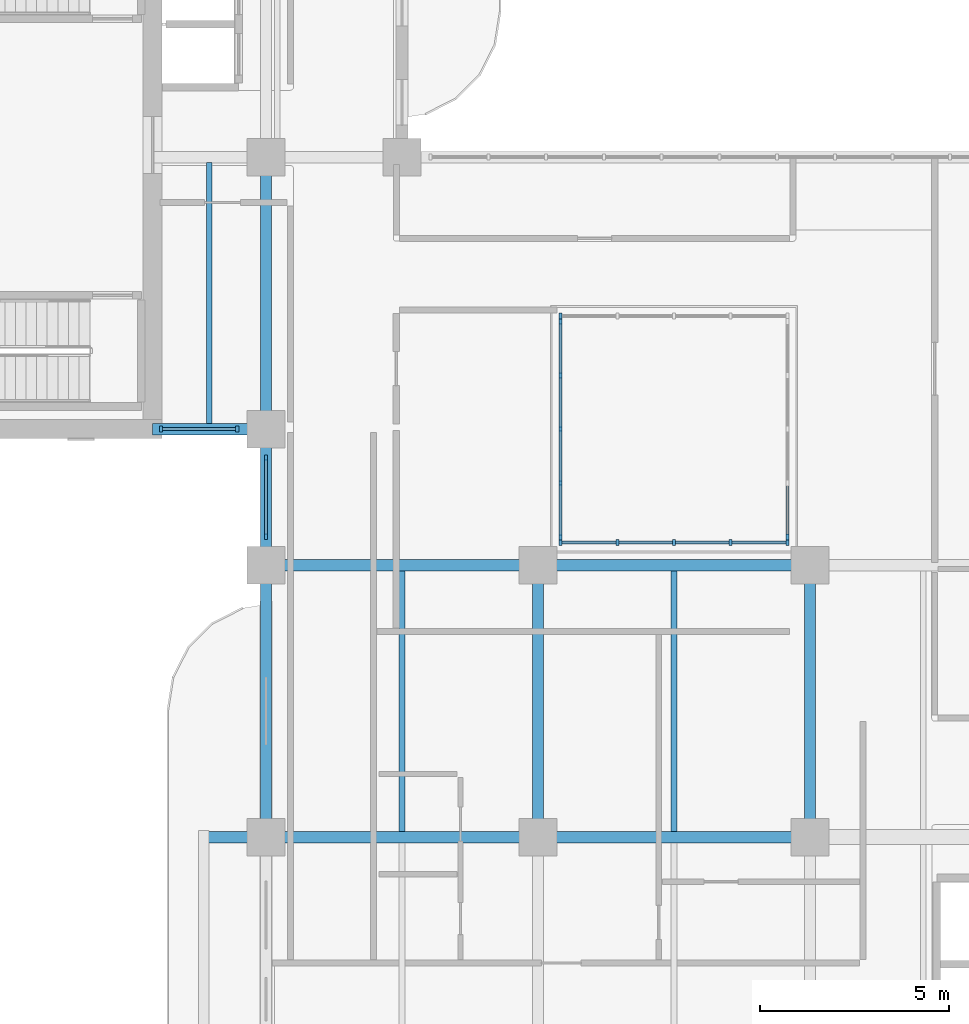
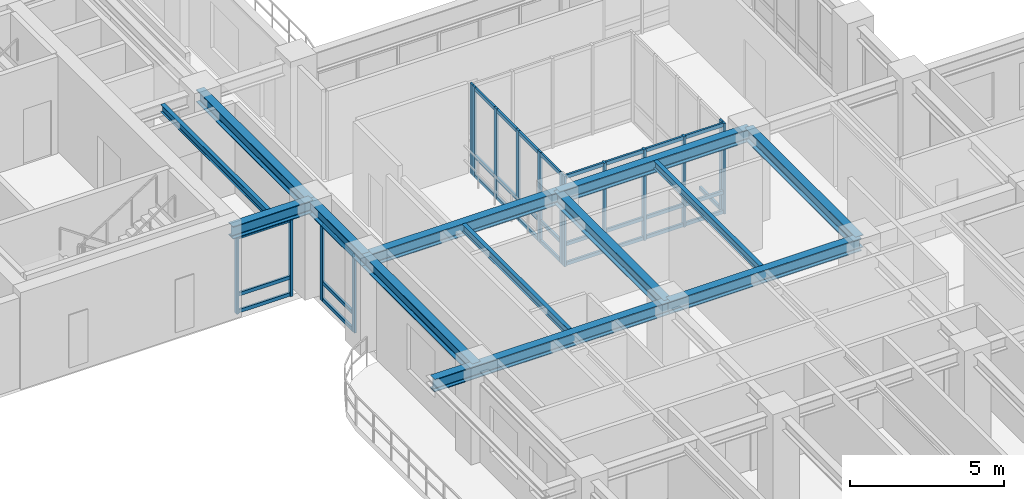
# One storey, part 2 of 20: 47 members, 13 beams, 6 elements without a shape of their own.
"""IFC4 building model written with IfcOpenShell, lengths in metres."""

from ifc_helpers import new_model, si_unit, derived_unit, direction, frame, origin, origin_2d, place, context, subcontext, project, spatial, rectangle, i_section, extrude, source, transform, mapped, material, layer, layer_set, material_profile, profile_set, type_object, type_shapes, element, aggregate, save


model = new_model("IFC4")

# Units and contexts
model_context = context("Model", 3, precision=1e-05, world=origin(), true_north=direction((0.0, 1.0)))
body_context = subcontext(model_context, "Body", "Model", "MODEL_VIEW")
ifc_project = project(units=[si_unit("LENGTHUNIT", "METRE"), si_unit("AREAUNIT", "SQUARE_METRE"), si_unit("VOLUMEUNIT", "CUBIC_METRE"), si_unit("PLANEANGLEUNIT", "RADIAN"), si_unit("MASSUNIT", "GRAM", prefix="KILO"), si_unit("THERMODYNAMICTEMPERATUREUNIT", "KELVIN"), si_unit("POWERUNIT", "WATT"), derived_unit("THERMALTRANSMITTANCEUNIT", [(si_unit("POWERUNIT", "WATT"), 1), (si_unit("AREAUNIT", "SQUARE_METRE"), -1), (si_unit("THERMODYNAMICTEMPERATUREUNIT", "KELVIN"), -1)])], contexts=[model_context])

# Site, building, storey
site_placement = place(None, origin())
site = spatial("IfcSite", under=ifc_project, at=site_placement, CompositionType="ELEMENT")
building_placement = place(site_placement, origin())
building = spatial("IfcBuilding", under=site, at=building_placement, Name="Zahravan Archway Hotel and Residences", CompositionType="ELEMENT")
storey_placement = place(building_placement, frame((0.0, 0.0, 161.85009765625)))
storey = spatial("IfcBuildingStorey", under=building, at=storey_placement, Name="L40", CompositionType="ELEMENT", Elevation=161.85009765625)

# Beams
ifc_material_1 = material(Name="Structural Steel S355JR", Category="steel")
ifc_material_profile_1 = material_profile(ifc_material_1, i_section(OverallWidth=0.300048828125, OverallDepth=0.5, WebThickness=0.014404296875, FlangeThickness=0.028076171875, FilletRadius=0.027099609375, at=origin_2d()), Name="HEB 500", Category="steel")
ifc_profile_set_1 = profile_set([ifc_material_profile_1], Name="Structural Steel S355JR")
beam_type_1 = type_object("IfcBeamType", Name="BM-PRI-HEB500", PredefinedType="BEAM", material=ifc_profile_set_1)
shared_shape_1 = source(origin(), body_context, "Body", "SweptSolid", [
    extrude(i_section(OverallWidth=0.300048828125, OverallDepth=0.5, WebThickness=0.014404296875, FlangeThickness=0.028076171875, FilletRadius=0.027099609375, at=origin_2d()), origin(), (0.0, 0.0, 1.0), 7.2001953125),
])
type_shapes(beam_type_1, [shared_shape_1])
for number, where, z_axis, x_axis, name in (
    (1, (14.39990234375, 21.60009765625, 3.349853515625), (1.0, 0.0, 0.0), (0.0, 1.0, 0.0), "L40 Primary Girder EW-11"),
    (2, (14.39990234375, 14.39990234375, 3.349853515625), (0.0, 1.0, 0.0), (-1.0, 0.0, 0.0), "L40 Primary Girder NS-30"),
    (3, (21.60009765625, 14.39990234375, 3.349853515625), (0.0, 1.0, 0.0), (-1.0, 0.0, 0.0), "L40 Primary Girder NS-37"),
    (4, (28.800048828125, 14.39990234375, 3.349853515625), (0.0, 1.0, 0.0), (-1.0, 0.0, 0.0), "L40 Primary Girder NS-40"),
):
    element("IfcBeam", number, at=place(storey_placement, frame(where, z_axis=z_axis, x_axis=x_axis)), inside=storey, type_object=beam_type_1, Name=name, PredefinedType="BEAM", context=body_context, shape_type="MappedRepresentation", body=[
        mapped(shared_shape_1, transform((0.0, 0.0, 0.0), scale=1.0)),
    ])
shared_shape_2 = source(origin(), body_context, "Body", "SweptSolid", [
    extrude(i_section(OverallWidth=0.300048828125, OverallDepth=0.5, WebThickness=0.014404296875, FlangeThickness=0.028076171875, FilletRadius=0.027099609375, at=origin_2d()), origin(), (0.0, 0.0, 1.0), 7.199951171875),
])
for number, where, z_axis, x_axis, name in (
    (5, (21.60009765625, 14.39990234375, 3.349853515625), (1.0, 0.0, 0.0), (0.0, 1.0, 0.0), "L40 Primary Girder EW-10"),
    (6, (21.60009765625, 21.60009765625, 3.349853515625), (1.0, 0.0, 0.0), (0.0, 1.0, 0.0), "L40 Primary Girder EW-12"),
    (7, (14.39990234375, 25.199951171875, 3.349853515625), (0.0, 1.0, 0.0), (-1.0, 0.0, 0.0), "L40 Primary Girder NS-32"),
):
    element("IfcBeam", number, at=place(storey_placement, frame(where, z_axis=z_axis, x_axis=x_axis)), inside=storey, type_object=beam_type_1, Name=name, PredefinedType="BEAM", context=body_context, shape_type="MappedRepresentation", body=[
        mapped(shared_shape_2, transform((0.0, 0.0, 0.0), scale=1.0)),
    ])
shared_shape_3 = source(origin(), body_context, "Body", "SweptSolid", [
    extrude(i_section(OverallWidth=0.300048828125, OverallDepth=0.5, WebThickness=0.014404296875, FlangeThickness=0.028076171875, FilletRadius=0.027099609375, at=origin_2d()), origin(), (0.0, 0.0, 1.0), 3.0),
])
beam_1_placement = place(storey_placement, frame((11.39990234375, 25.199951171875, 3.349853515625), z_axis=(1.0, 0.0, 0.0), x_axis=(0.0, 1.0, 0.0)))
element("IfcBeam", 8, at=beam_1_placement, inside=storey, type_object=beam_type_1, Name="L40 Primary Girder EW-16", PredefinedType="BEAM", context=body_context, shape_type="MappedRepresentation", body=[
    mapped(shared_shape_3, transform((0.0, 0.0, 0.0), scale=1.0)),
])
shared_shape_4 = source(origin(), body_context, "Body", "SweptSolid", [
    extrude(i_section(OverallWidth=0.300048828125, OverallDepth=0.5, WebThickness=0.014404296875, FlangeThickness=0.028076171875, FilletRadius=0.027099609375, at=origin_2d()), origin(), (0.0, 0.0, 1.0), 3.599853515625),
])
beam_2_placement = place(storey_placement, frame((14.39990234375, 21.60009765625, 3.349853515625), z_axis=(0.0, 1.0, 0.0), x_axis=(-1.0, 0.0, 0.0)))
element("IfcBeam", 9, at=beam_2_placement, inside=storey, type_object=beam_type_1, Name="L40 Primary Girder NS-31", PredefinedType="BEAM", context=body_context, shape_type="MappedRepresentation", body=[
    mapped(shared_shape_4, transform((0.0, 0.0, 0.0), scale=1.0)),
])
shared_shape_5 = source(origin(), body_context, "Body", "SweptSolid", [
    extrude(i_section(OverallWidth=0.300048828125, OverallDepth=0.5, WebThickness=0.014404296875, FlangeThickness=0.028076171875, FilletRadius=0.027099609375, at=origin_2d()), origin(), (0.0, 0.0, 1.0), 8.85009765625),
])
beam_3_placement = place(storey_placement, frame((12.75, 14.39990234375, 3.349853515625), z_axis=(1.0, 0.0, 0.0), x_axis=(0.0, 1.0, 0.0)))
element("IfcBeam", 10, at=beam_3_placement, inside=storey, type_object=beam_type_1, Name="L40 Primary Girder EW-09", PredefinedType="BEAM", context=body_context, shape_type="MappedRepresentation", body=[
    mapped(shared_shape_5, transform((0.0, 0.0, 0.0), scale=1.0)),
])
ifc_material_profile_2 = material_profile(ifc_material_1, i_section(OverallWidth=0.14990234375, OverallDepth=0.300048828125, WebThickness=0.007080078125, FlangeThickness=0.0107421875, FilletRadius=0.014892578125, at=origin_2d()), Name="IPE 300", Category="steel")
ifc_profile_set_2 = profile_set([ifc_material_profile_2], Name="Structural Steel S355JR")
beam_type_2 = type_object("IfcBeamType", Name="BM-JST-IPE300", PredefinedType="JOIST", material=ifc_profile_set_2)
shared_shape_6 = source(origin(), body_context, "Body", "SweptSolid", [
    extrude(i_section(OverallWidth=0.14990234375, OverallDepth=0.300048828125, WebThickness=0.007080078125, FlangeThickness=0.0107421875, FilletRadius=0.014892578125, at=origin_2d()), origin(), (0.0, 0.0, 1.0), 6.904052734375),
])
type_shapes(beam_type_2, [shared_shape_6])
beam_4_placement = place(storey_placement, frame((12.89990234375, 25.347900390625, 3.449951171875), z_axis=(0.0, 1.0, 0.0), x_axis=(-1.0, 0.0, 0.0)))
element("IfcBeam", 11, at=beam_4_placement, inside=storey, type_object=beam_type_2, Name="L40 Composite Floor Joist 10", PredefinedType="JOIST", context=body_context, shape_type="MappedRepresentation", body=[
    mapped(shared_shape_6, transform((0.0, 0.0, 0.0), scale=1.0)),
])
shared_shape_7 = source(origin(), body_context, "Body", "SweptSolid", [
    extrude(i_section(OverallWidth=0.14990234375, OverallDepth=0.300048828125, WebThickness=0.007080078125, FlangeThickness=0.0107421875, FilletRadius=0.014892578125, at=origin_2d()), origin(), (0.0, 0.0, 1.0), 6.90380859375),
])
for number, where, z_axis, x_axis, name in (
    (12, (18.0, 14.548095703125, 3.449951171875), (0.0, 1.0, 0.0), (-1.0, 0.0, 0.0), "L40 Composite Floor Joist 08"),
    (13, (25.199951171875, 14.548095703125, 3.449951171875), (0.0, 1.0, 0.0), (-1.0, 0.0, 0.0), "L40 Composite Floor Joist 09"),
):
    element("IfcBeam", number, at=place(storey_placement, frame(where, z_axis=z_axis, x_axis=x_axis)), inside=storey, type_object=beam_type_2, Name=name, PredefinedType="JOIST", context=body_context, shape_type="MappedRepresentation", body=[
        mapped(shared_shape_7, transform((0.0, 0.0, 0.0), scale=1.0)),
    ])

# Curtain wall, members
ifc_material_2 = material(Name="Bronze-Anodized Unitised Aluminium & Low-E Glass", Category="aluminium")
ifc_layer_1 = layer(ifc_material_2, 0.179931640625, Name="Bronze-Anodized Unitised Aluminium & Low-E Glass", Category="aluminium")
ifc_layer_set_1 = layer_set([ifc_layer_1], Name="Bronze-Anodized Unitised Aluminium & Low-E Glass")
curtain_wall_type_1 = type_object("IfcCurtainWallType", Name="CW-TWR-FEAT", PredefinedType="NOTDEFINED", material=ifc_layer_set_1)
curtain_wall_1_placement = place(storey_placement, origin())
curtain_wall_1 = element("IfcCurtainWall", 14, at=curtain_wall_1_placement, inside=storey, type_object=curtain_wall_type_1, Name="L40 Curtain Wall CW-L40-WB-SE-1", PredefinedType="NOTDEFINED")
ifc_material_3 = material(Name="Bronze-Anodized Extruded Aluminium", Category="aluminium")
ifc_material_profile_3 = material_profile(ifc_material_3, rectangle(XDim=0.080078125, YDim=0.139892578125, at=origin_2d()), Name="TRN 80x140", Category="aluminium")
ifc_profile_set_3 = profile_set([ifc_material_profile_3], Name="Bronze-Anodized Extruded Aluminium")
member_type_1 = type_object("IfcMemberType", Name="CWM-TRN-140", PredefinedType="USERDEFINED", material=ifc_profile_set_3)
shared_shape_8 = source(origin(), body_context, "Body", "SweptSolid", [
    extrude(rectangle(XDim=0.080078125, YDim=0.139892578125, at=origin_2d()), origin(), (0.0, 0.0, 1.0), 1.940185546875),
])
member_1_placement = place(storey_placement, frame((11.659912109375, 25.199951171875, 0.06982421875), z_axis=(1.0, 0.0, 0.0), x_axis=(0.0, 1.0, 0.0)))
member_1 = element("IfcMember", 15, at=member_1_placement, type_object=member_type_1, Name="CW-L40-WB-SE-1 Transom 0-1", ObjectType="TRANSOM", PredefinedType="USERDEFINED", context=body_context, shape_type="MappedRepresentation", body=[
    mapped(shared_shape_8, transform((0.0, 0.0, 0.0), scale=1.0)),
])
member_2_placement = place(storey_placement, frame((11.659912109375, 25.199951171875, 0.740234375), z_axis=(1.0, 0.0, 0.0), x_axis=(0.0, 1.0, 0.0)))
member_2 = element("IfcMember", 16, at=member_2_placement, type_object=member_type_1, Name="CW-L40-WB-SE-1 Transom 0-2", ObjectType="TRANSOM", PredefinedType="USERDEFINED", context=body_context, shape_type="MappedRepresentation", body=[
    mapped(shared_shape_8, transform((0.0, 0.0, 0.0), scale=1.0)),
])
member_3_placement = place(storey_placement, frame((11.659912109375, 25.199951171875, 3.014892578125), z_axis=(1.0, 0.0, 0.0), x_axis=(0.0, 1.0, 0.0)))
member_3 = element("IfcMember", 17, at=member_3_placement, type_object=member_type_1, Name="CW-L40-WB-SE-1 Transom 0-3", ObjectType="TRANSOM", PredefinedType="USERDEFINED", context=body_context, shape_type="MappedRepresentation", body=[
    mapped(shared_shape_8, transform((0.0, 0.0, 0.0), scale=1.0)),
])

curtain_wall_2_placement = place(storey_placement, origin())
curtain_wall_2 = element("IfcCurtainWall", 18, at=curtain_wall_2_placement, inside=storey, type_object=curtain_wall_type_1, Name="L40 Curtain Wall CW-L40-WA-WLU-1", PredefinedType="NOTDEFINED")
shared_shape_9 = source(origin(), body_context, "Body", "SweptSolid", [
    extrude(rectangle(XDim=0.080078125, YDim=0.139892578125, at=origin_2d()), origin(), (0.0, 0.0, 1.0), 2.0),
])
member_4_placement = place(storey_placement, frame((14.39990234375, 22.39990234375, 0.06982421875), z_axis=(0.0, 1.0, 0.0), x_axis=(-1.0, 0.0, 0.0)))
member_4 = element("IfcMember", 19, at=member_4_placement, type_object=member_type_1, Name="CW-L40-WA-WLU-1 Transom 0-1", ObjectType="TRANSOM", PredefinedType="USERDEFINED", context=body_context, shape_type="MappedRepresentation", body=[
    mapped(shared_shape_9, transform((0.0, 0.0, 0.0), scale=1.0)),
])
member_5_placement = place(storey_placement, frame((14.39990234375, 22.39990234375, 0.740234375), z_axis=(0.0, 1.0, 0.0), x_axis=(-1.0, 0.0, 0.0)))
member_5 = element("IfcMember", 20, at=member_5_placement, type_object=member_type_1, Name="CW-L40-WA-WLU-1 Transom 0-2", ObjectType="TRANSOM", PredefinedType="USERDEFINED", context=body_context, shape_type="MappedRepresentation", body=[
    mapped(shared_shape_9, transform((0.0, 0.0, 0.0), scale=1.0)),
])
member_6_placement = place(storey_placement, frame((14.39990234375, 22.39990234375, 3.014892578125), z_axis=(0.0, 1.0, 0.0), x_axis=(-1.0, 0.0, 0.0)))
member_6 = element("IfcMember", 21, at=member_6_placement, type_object=member_type_1, Name="CW-L40-WA-WLU-1 Transom 0-3", ObjectType="TRANSOM", PredefinedType="USERDEFINED", context=body_context, shape_type="MappedRepresentation", body=[
    mapped(shared_shape_9, transform((0.0, 0.0, 0.0), scale=1.0)),
])

ifc_layer_2 = layer(ifc_material_2, 0.179931640625, Name="Bronze-Anodized Unitised Aluminium & Low-E Glass", Category="aluminium")
ifc_layer_set_2 = layer_set([ifc_layer_2], Name="Bronze-Anodized Unitised Aluminium & Low-E Glass")
curtain_wall_type_2 = type_object("IfcCurtainWallType", Name="CW-ATR-GLAZ", PredefinedType="NOTDEFINED", material=ifc_layer_set_2)
curtain_wall_3_placement = place(storey_placement, origin())
curtain_wall_3 = element("IfcCurtainWall", 22, at=curtain_wall_3_placement, inside=storey, type_object=curtain_wall_type_2, Name="L40 Curtain Wall CW-ATR-L40-S-1", PredefinedType="NOTDEFINED")
shared_shape_10 = source(origin(), body_context, "Body", "SweptSolid", [
    extrude(rectangle(XDim=0.080078125, YDim=0.139892578125, at=origin_2d()), origin(), (0.0, 0.0, 1.0), 1.419921875),
])
member_7_placement = place(storey_placement, frame((22.239990234375, 22.199951171875, 0.06982421875), z_axis=(1.0, 0.0, 0.0), x_axis=(0.0, 1.0, 0.0)))
member_7 = element("IfcMember", 23, at=member_7_placement, type_object=member_type_1, Name="CW-ATR-L40-S-1 Transom 0-1", ObjectType="TRANSOM", PredefinedType="USERDEFINED", context=body_context, shape_type="MappedRepresentation", body=[
    mapped(shared_shape_10, transform((0.0, 0.0, 0.0), scale=1.0)),
])
member_8_placement = place(storey_placement, frame((22.239990234375, 22.199951171875, 0.849853515625), z_axis=(1.0, 0.0, 0.0), x_axis=(0.0, 1.0, 0.0)))
member_8 = element("IfcMember", 24, at=member_8_placement, type_object=member_type_1, Name="CW-ATR-L40-S-1 Transom 0-2", ObjectType="TRANSOM", PredefinedType="USERDEFINED", context=body_context, shape_type="MappedRepresentation", body=[
    mapped(shared_shape_10, transform((0.0, 0.0, 0.0), scale=1.0)),
])
member_9_placement = place(storey_placement, frame((22.239990234375, 22.199951171875, 3.52978515625), z_axis=(1.0, 0.0, 0.0), x_axis=(0.0, 1.0, 0.0)))
member_9 = element("IfcMember", 25, at=member_9_placement, type_object=member_type_1, Name="CW-ATR-L40-S-1 Transom 0-3", ObjectType="TRANSOM", PredefinedType="USERDEFINED", context=body_context, shape_type="MappedRepresentation", body=[
    mapped(shared_shape_10, transform((0.0, 0.0, 0.0), scale=1.0)),
])
member_10_placement = place(storey_placement, frame((23.739990234375, 22.199951171875, 0.06982421875), z_axis=(1.0, 0.0, 0.0), x_axis=(0.0, 1.0, 0.0)))
member_10 = element("IfcMember", 26, at=member_10_placement, type_object=member_type_1, Name="CW-ATR-L40-S-1 Transom 1-1", ObjectType="TRANSOM", PredefinedType="USERDEFINED", context=body_context, shape_type="MappedRepresentation", body=[
    mapped(shared_shape_10, transform((0.0, 0.0, 0.0), scale=1.0)),
])
member_11_placement = place(storey_placement, frame((23.739990234375, 22.199951171875, 0.849853515625), z_axis=(1.0, 0.0, 0.0), x_axis=(0.0, 1.0, 0.0)))
member_11 = element("IfcMember", 27, at=member_11_placement, type_object=member_type_1, Name="CW-ATR-L40-S-1 Transom 1-2", ObjectType="TRANSOM", PredefinedType="USERDEFINED", context=body_context, shape_type="MappedRepresentation", body=[
    mapped(shared_shape_10, transform((0.0, 0.0, 0.0), scale=1.0)),
])
member_12_placement = place(storey_placement, frame((23.739990234375, 22.199951171875, 3.52978515625), z_axis=(1.0, 0.0, 0.0), x_axis=(0.0, 1.0, 0.0)))
member_12 = element("IfcMember", 28, at=member_12_placement, type_object=member_type_1, Name="CW-ATR-L40-S-1 Transom 1-3", ObjectType="TRANSOM", PredefinedType="USERDEFINED", context=body_context, shape_type="MappedRepresentation", body=[
    mapped(shared_shape_10, transform((0.0, 0.0, 0.0), scale=1.0)),
])
member_13_placement = place(storey_placement, frame((25.239990234375, 22.199951171875, 0.06982421875), z_axis=(1.0, 0.0, 0.0), x_axis=(0.0, 1.0, 0.0)))
member_13 = element("IfcMember", 29, at=member_13_placement, type_object=member_type_1, Name="CW-ATR-L40-S-1 Transom 2-1", ObjectType="TRANSOM", PredefinedType="USERDEFINED", context=body_context, shape_type="MappedRepresentation", body=[
    mapped(shared_shape_10, transform((0.0, 0.0, 0.0), scale=1.0)),
])
member_14_placement = place(storey_placement, frame((25.239990234375, 22.199951171875, 0.849853515625), z_axis=(1.0, 0.0, 0.0), x_axis=(0.0, 1.0, 0.0)))
member_14 = element("IfcMember", 30, at=member_14_placement, type_object=member_type_1, Name="CW-ATR-L40-S-1 Transom 2-2", ObjectType="TRANSOM", PredefinedType="USERDEFINED", context=body_context, shape_type="MappedRepresentation", body=[
    mapped(shared_shape_10, transform((0.0, 0.0, 0.0), scale=1.0)),
])
member_15_placement = place(storey_placement, frame((25.239990234375, 22.199951171875, 3.52978515625), z_axis=(1.0, 0.0, 0.0), x_axis=(0.0, 1.0, 0.0)))
member_15 = element("IfcMember", 31, at=member_15_placement, type_object=member_type_1, Name="CW-ATR-L40-S-1 Transom 2-3", ObjectType="TRANSOM", PredefinedType="USERDEFINED", context=body_context, shape_type="MappedRepresentation", body=[
    mapped(shared_shape_10, transform((0.0, 0.0, 0.0), scale=1.0)),
])
member_16_placement = place(storey_placement, frame((26.739990234375, 22.199951171875, 0.06982421875), z_axis=(1.0, 0.0, 0.0), x_axis=(0.0, 1.0, 0.0)))
member_16 = element("IfcMember", 32, at=member_16_placement, type_object=member_type_1, Name="CW-ATR-L40-S-1 Transom 3-1", ObjectType="TRANSOM", PredefinedType="USERDEFINED", context=body_context, shape_type="MappedRepresentation", body=[
    mapped(shared_shape_10, transform((0.0, 0.0, 0.0), scale=1.0)),
])
member_17_placement = place(storey_placement, frame((26.739990234375, 22.199951171875, 0.849853515625), z_axis=(1.0, 0.0, 0.0), x_axis=(0.0, 1.0, 0.0)))
member_17 = element("IfcMember", 33, at=member_17_placement, type_object=member_type_1, Name="CW-ATR-L40-S-1 Transom 3-2", ObjectType="TRANSOM", PredefinedType="USERDEFINED", context=body_context, shape_type="MappedRepresentation", body=[
    mapped(shared_shape_10, transform((0.0, 0.0, 0.0), scale=1.0)),
])
member_18_placement = place(storey_placement, frame((26.739990234375, 22.199951171875, 3.52978515625), z_axis=(1.0, 0.0, 0.0), x_axis=(0.0, 1.0, 0.0)))
member_18 = element("IfcMember", 34, at=member_18_placement, type_object=member_type_1, Name="CW-ATR-L40-S-1 Transom 3-3", ObjectType="TRANSOM", PredefinedType="USERDEFINED", context=body_context, shape_type="MappedRepresentation", body=[
    mapped(shared_shape_10, transform((0.0, 0.0, 0.0), scale=1.0)),
])

curtain_wall_4_placement = place(storey_placement, origin())
curtain_wall_4 = element("IfcCurtainWall", 35, at=curtain_wall_4_placement, inside=storey, type_object=curtain_wall_type_2, Name="L40 Curtain Wall CW-ATR-L40-W-1", PredefinedType="NOTDEFINED")
shared_shape_11 = source(origin(), body_context, "Body", "SweptSolid", [
    extrude(rectangle(XDim=0.080078125, YDim=0.139892578125, at=origin_2d()), origin(), (0.0, 0.0, 1.0), 1.34521484375),
])
member_19_placement = place(storey_placement, frame((22.199951171875, 22.389892578125, 0.06982421875), z_axis=(0.0, 1.0, 0.0), x_axis=(-1.0, 0.0, 0.0)))
member_19 = element("IfcMember", 36, at=member_19_placement, type_object=member_type_1, Name="CW-ATR-L40-W-1 Transom 0-1", ObjectType="TRANSOM", PredefinedType="USERDEFINED", context=body_context, shape_type="MappedRepresentation", body=[
    mapped(shared_shape_11, transform((0.0, 0.0, 0.0), scale=1.0)),
])
member_20_placement = place(storey_placement, frame((22.199951171875, 22.389892578125, 0.849853515625), z_axis=(0.0, 1.0, 0.0), x_axis=(-1.0, 0.0, 0.0)))
member_20 = element("IfcMember", 37, at=member_20_placement, type_object=member_type_1, Name="CW-ATR-L40-W-1 Transom 0-2", ObjectType="TRANSOM", PredefinedType="USERDEFINED", context=body_context, shape_type="MappedRepresentation", body=[
    mapped(shared_shape_11, transform((0.0, 0.0, 0.0), scale=1.0)),
])
member_21_placement = place(storey_placement, frame((22.199951171875, 22.389892578125, 3.52978515625), z_axis=(0.0, 1.0, 0.0), x_axis=(-1.0, 0.0, 0.0)))
member_21 = element("IfcMember", 38, at=member_21_placement, type_object=member_type_1, Name="CW-ATR-L40-W-1 Transom 0-3", ObjectType="TRANSOM", PredefinedType="USERDEFINED", context=body_context, shape_type="MappedRepresentation", body=[
    mapped(shared_shape_11, transform((0.0, 0.0, 0.0), scale=1.0)),
])

# Curtain wall, member
curtain_wall_5_placement = place(storey_placement, origin())
curtain_wall_5 = element("IfcCurtainWall", 39, at=curtain_wall_5_placement, inside=storey, type_object=curtain_wall_type_2, Name="L40 Curtain Wall CW-ATR-L40-E-1", PredefinedType="NOTDEFINED")
member_22_placement = place(storey_placement, frame((28.199951171875, 22.389892578125, 0.06982421875), z_axis=(0.0, 1.0, 0.0), x_axis=(-1.0, 0.0, 0.0)))
member_22 = element("IfcMember", 40, at=member_22_placement, type_object=member_type_1, Name="CW-ATR-L40-E-1 Transom 0-1", ObjectType="TRANSOM", PredefinedType="USERDEFINED", context=body_context, shape_type="MappedRepresentation", body=[
    mapped(shared_shape_11, transform((0.0, 0.0, 0.0), scale=1.0)),
])

# Member
shared_shape_12 = source(origin(), body_context, "Body", "SweptSolid", [
    extrude(rectangle(XDim=0.080078125, YDim=0.139892578125, at=origin_2d()), origin(), (0.0, 0.0, 1.0), 1.344970703125),
])
member_23_placement = place(storey_placement, frame((22.199951171875, 23.81494140625, 0.06982421875), z_axis=(0.0, 1.0, 0.0), x_axis=(-1.0, 0.0, 0.0)))
member_23 = element("IfcMember", 41, at=member_23_placement, type_object=member_type_1, Name="CW-ATR-L40-W-1 Transom 1-1", ObjectType="TRANSOM", PredefinedType="USERDEFINED", context=body_context, shape_type="MappedRepresentation", body=[
    mapped(shared_shape_12, transform((0.0, 0.0, 0.0), scale=1.0)),
])

member_24_placement = place(storey_placement, frame((22.199951171875, 23.81494140625, 0.849853515625), z_axis=(0.0, 1.0, 0.0), x_axis=(-1.0, 0.0, 0.0)))
member_24 = element("IfcMember", 42, at=member_24_placement, type_object=member_type_1, Name="CW-ATR-L40-W-1 Transom 1-2", ObjectType="TRANSOM", PredefinedType="USERDEFINED", context=body_context, shape_type="MappedRepresentation", body=[
    mapped(shared_shape_12, transform((0.0, 0.0, 0.0), scale=1.0)),
])

member_25_placement = place(storey_placement, frame((22.199951171875, 23.81494140625, 3.52978515625), z_axis=(0.0, 1.0, 0.0), x_axis=(-1.0, 0.0, 0.0)))
member_25 = element("IfcMember", 43, at=member_25_placement, type_object=member_type_1, Name="CW-ATR-L40-W-1 Transom 1-3", ObjectType="TRANSOM", PredefinedType="USERDEFINED", context=body_context, shape_type="MappedRepresentation", body=[
    mapped(shared_shape_12, transform((0.0, 0.0, 0.0), scale=1.0)),
])

member_26_placement = place(storey_placement, frame((22.199951171875, 25.239990234375, 0.06982421875), z_axis=(0.0, 1.0, 0.0), x_axis=(-1.0, 0.0, 0.0)))
member_26 = element("IfcMember", 44, at=member_26_placement, type_object=member_type_1, Name="CW-ATR-L40-W-1 Transom 2-1", ObjectType="TRANSOM", PredefinedType="USERDEFINED", context=body_context, shape_type="MappedRepresentation", body=[
    mapped(shared_shape_12, transform((0.0, 0.0, 0.0), scale=1.0)),
])

member_27_placement = place(storey_placement, frame((22.199951171875, 25.239990234375, 0.849853515625), z_axis=(0.0, 1.0, 0.0), x_axis=(-1.0, 0.0, 0.0)))
member_27 = element("IfcMember", 45, at=member_27_placement, type_object=member_type_1, Name="CW-ATR-L40-W-1 Transom 2-2", ObjectType="TRANSOM", PredefinedType="USERDEFINED", context=body_context, shape_type="MappedRepresentation", body=[
    mapped(shared_shape_12, transform((0.0, 0.0, 0.0), scale=1.0)),
])

member_28_placement = place(storey_placement, frame((22.199951171875, 25.239990234375, 3.52978515625), z_axis=(0.0, 1.0, 0.0), x_axis=(-1.0, 0.0, 0.0)))
member_28 = element("IfcMember", 46, at=member_28_placement, type_object=member_type_1, Name="CW-ATR-L40-W-1 Transom 2-3", ObjectType="TRANSOM", PredefinedType="USERDEFINED", context=body_context, shape_type="MappedRepresentation", body=[
    mapped(shared_shape_12, transform((0.0, 0.0, 0.0), scale=1.0)),
])

member_29_placement = place(storey_placement, frame((22.199951171875, 26.6650390625, 0.06982421875), z_axis=(0.0, 1.0, 0.0), x_axis=(-1.0, 0.0, 0.0)))
member_29 = element("IfcMember", 47, at=member_29_placement, type_object=member_type_1, Name="CW-ATR-L40-W-1 Transom 3-1", ObjectType="TRANSOM", PredefinedType="USERDEFINED", context=body_context, shape_type="MappedRepresentation", body=[
    mapped(shared_shape_12, transform((0.0, 0.0, 0.0), scale=1.0)),
])

member_30_placement = place(storey_placement, frame((22.199951171875, 26.6650390625, 0.849853515625), z_axis=(0.0, 1.0, 0.0), x_axis=(-1.0, 0.0, 0.0)))
member_30 = element("IfcMember", 48, at=member_30_placement, type_object=member_type_1, Name="CW-ATR-L40-W-1 Transom 3-2", ObjectType="TRANSOM", PredefinedType="USERDEFINED", context=body_context, shape_type="MappedRepresentation", body=[
    mapped(shared_shape_12, transform((0.0, 0.0, 0.0), scale=1.0)),
])

member_31_placement = place(storey_placement, frame((22.199951171875, 26.6650390625, 3.52978515625), z_axis=(0.0, 1.0, 0.0), x_axis=(-1.0, 0.0, 0.0)))
member_31 = element("IfcMember", 49, at=member_31_placement, type_object=member_type_1, Name="CW-ATR-L40-W-1 Transom 3-3", ObjectType="TRANSOM", PredefinedType="USERDEFINED", context=body_context, shape_type="MappedRepresentation", body=[
    mapped(shared_shape_12, transform((0.0, 0.0, 0.0), scale=1.0)),
])

ifc_material_profile_4 = material_profile(ifc_material_3, rectangle(XDim=0.080078125, YDim=0.159912109375, at=origin_2d()), Name="MUL 80x160", Category="aluminium")
ifc_profile_set_4 = profile_set([ifc_material_profile_4], Name="Bronze-Anodized Extruded Aluminium")
member_type_2 = type_object("IfcMemberType", Name="CWM-MUL-160", PredefinedType="MULLION", material=ifc_profile_set_4)
shared_shape_13 = source(origin(), body_context, "Body", "SweptSolid", [
    extrude(rectangle(XDim=0.080078125, YDim=0.159912109375, at=origin_2d()), origin(), (0.0, 0.0, 1.0), 3.0849609375),
])
member_32_placement = place(storey_placement, frame((14.39990234375, 22.360107421875, 0.0), z_axis=(0.0, 0.0, 1.0), x_axis=(1.0, 0.0, 0.0)))
member_32 = element("IfcMember", 50, at=member_32_placement, type_object=member_type_2, Name="CW-L40-WA-WLU-1 Mullion 0", PredefinedType="MULLION", context=body_context, shape_type="MappedRepresentation", body=[
    mapped(shared_shape_13, transform((0.0, 0.0, 0.0), scale=1.0)),
])

member_33_placement = place(storey_placement, frame((14.39990234375, 24.43994140625, 0.0), z_axis=(0.0, 0.0, 1.0), x_axis=(1.0, 0.0, 0.0)))
member_33 = element("IfcMember", 51, at=member_33_placement, type_object=member_type_2, Name="CW-L40-WA-WLU-1 Mullion 1", PredefinedType="MULLION", context=body_context, shape_type="MappedRepresentation", body=[
    mapped(shared_shape_13, transform((0.0, 0.0, 0.0), scale=1.0)),
])

aggregate(curtain_wall_2, [member_32, member_33, member_4, member_5, member_6])

member_34_placement = place(storey_placement, frame((11.6201171875, 25.199951171875, 0.0), z_axis=(0.0, 0.0, 1.0), x_axis=(1.0, 0.0, 0.0)))
member_34 = element("IfcMember", 52, at=member_34_placement, type_object=member_type_2, Name="CW-L40-WB-SE-1 Mullion 0", PredefinedType="MULLION", context=body_context, shape_type="MappedRepresentation", body=[
    mapped(shared_shape_13, transform((0.0, 0.0, 0.0), scale=1.0)),
])

member_35_placement = place(storey_placement, frame((13.639892578125, 25.199951171875, 0.0), z_axis=(0.0, 0.0, 1.0), x_axis=(1.0, 0.0, 0.0)))
member_35 = element("IfcMember", 53, at=member_35_placement, type_object=member_type_2, Name="CW-L40-WB-SE-1 Mullion 1", PredefinedType="MULLION", context=body_context, shape_type="MappedRepresentation", body=[
    mapped(shared_shape_13, transform((0.0, 0.0, 0.0), scale=1.0)),
])

aggregate(curtain_wall_1, [member_34, member_35, member_1, member_2, member_3])

shared_shape_14 = source(origin(), body_context, "Body", "SweptSolid", [
    extrude(rectangle(XDim=0.080078125, YDim=0.159912109375, at=origin_2d()), origin(), (0.0, 0.0, 1.0), 3.599853515625),
])
member_36_placement = place(storey_placement, frame((22.199951171875, 22.199951171875, 0.0), z_axis=(0.0, 0.0, 1.0), x_axis=(1.0, 0.0, 0.0)))
member_36 = element("IfcMember", 54, at=member_36_placement, type_object=member_type_2, Name="CW-ATR-L40-S-1 Mullion 0", PredefinedType="MULLION", context=body_context, shape_type="MappedRepresentation", body=[
    mapped(shared_shape_14, transform((0.0, 0.0, 0.0), scale=1.0)),
])

member_37_placement = place(storey_placement, frame((23.699951171875, 22.199951171875, 0.0), z_axis=(0.0, 0.0, 1.0), x_axis=(1.0, 0.0, 0.0)))
member_37 = element("IfcMember", 55, at=member_37_placement, type_object=member_type_2, Name="CW-ATR-L40-S-1 Mullion 1", PredefinedType="MULLION", context=body_context, shape_type="MappedRepresentation", body=[
    mapped(shared_shape_14, transform((0.0, 0.0, 0.0), scale=1.0)),
])

member_38_placement = place(storey_placement, frame((25.199951171875, 22.199951171875, 0.0), z_axis=(0.0, 0.0, 1.0), x_axis=(1.0, 0.0, 0.0)))
member_38 = element("IfcMember", 56, at=member_38_placement, type_object=member_type_2, Name="CW-ATR-L40-S-1 Mullion 2", PredefinedType="MULLION", context=body_context, shape_type="MappedRepresentation", body=[
    mapped(shared_shape_14, transform((0.0, 0.0, 0.0), scale=1.0)),
])

member_39_placement = place(storey_placement, frame((26.699951171875, 22.199951171875, 0.0), z_axis=(0.0, 0.0, 1.0), x_axis=(1.0, 0.0, 0.0)))
member_39 = element("IfcMember", 57, at=member_39_placement, type_object=member_type_2, Name="CW-ATR-L40-S-1 Mullion 3", PredefinedType="MULLION", context=body_context, shape_type="MappedRepresentation", body=[
    mapped(shared_shape_14, transform((0.0, 0.0, 0.0), scale=1.0)),
])

member_40_placement = place(storey_placement, frame((28.199951171875, 22.199951171875, 0.0), z_axis=(0.0, 0.0, 1.0), x_axis=(1.0, 0.0, 0.0)))
member_40 = element("IfcMember", 58, at=member_40_placement, type_object=member_type_2, Name="CW-ATR-L40-S-1 Mullion 4", PredefinedType="MULLION", context=body_context, shape_type="MappedRepresentation", body=[
    mapped(shared_shape_14, transform((0.0, 0.0, 0.0), scale=1.0)),
])

aggregate(curtain_wall_3, [member_36, member_37, member_38, member_39, member_40, member_7, member_8, member_9, member_10, member_11, member_12, member_13, member_14, member_15, member_16, member_17, member_18])

# Curtain wall, member
curtain_wall_6_placement = place(storey_placement, origin())
curtain_wall_6 = element("IfcCurtainWall", 59, at=curtain_wall_6_placement, inside=storey, type_object=curtain_wall_type_2, Name="L40 Curtain Wall CW-ATR-L40-N-1", PredefinedType="NOTDEFINED")
member_41_placement = place(storey_placement, frame((22.199951171875, 28.199951171875, 0.0), z_axis=(0.0, 0.0, 1.0), x_axis=(1.0, 0.0, 0.0)))
member_41 = element("IfcMember", 60, at=member_41_placement, type_object=member_type_2, Name="CW-ATR-L40-N-1 Mullion 0", PredefinedType="MULLION", context=body_context, shape_type="MappedRepresentation", body=[
    mapped(shared_shape_14, transform((0.0, 0.0, 0.0), scale=1.0)),
])
aggregate(curtain_wall_6, [member_41])

# Member
member_42_placement = place(storey_placement, frame((22.199951171875, 22.35009765625, 0.0), z_axis=(0.0, 0.0, 1.0), x_axis=(1.0, 0.0, 0.0)))
member_42 = element("IfcMember", 61, at=member_42_placement, type_object=member_type_2, Name="CW-ATR-L40-W-1 Mullion 0", PredefinedType="MULLION", context=body_context, shape_type="MappedRepresentation", body=[
    mapped(shared_shape_14, transform((0.0, 0.0, 0.0), scale=1.0)),
])

member_43_placement = place(storey_placement, frame((22.199951171875, 23.77490234375, 0.0), z_axis=(0.0, 0.0, 1.0), x_axis=(1.0, 0.0, 0.0)))
member_43 = element("IfcMember", 62, at=member_43_placement, type_object=member_type_2, Name="CW-ATR-L40-W-1 Mullion 1", PredefinedType="MULLION", context=body_context, shape_type="MappedRepresentation", body=[
    mapped(shared_shape_14, transform((0.0, 0.0, 0.0), scale=1.0)),
])

member_44_placement = place(storey_placement, frame((22.199951171875, 25.199951171875, 0.0), z_axis=(0.0, 0.0, 1.0), x_axis=(1.0, 0.0, 0.0)))
member_44 = element("IfcMember", 63, at=member_44_placement, type_object=member_type_2, Name="CW-ATR-L40-W-1 Mullion 2", PredefinedType="MULLION", context=body_context, shape_type="MappedRepresentation", body=[
    mapped(shared_shape_14, transform((0.0, 0.0, 0.0), scale=1.0)),
])

member_45_placement = place(storey_placement, frame((22.199951171875, 26.625, 0.0), z_axis=(0.0, 0.0, 1.0), x_axis=(1.0, 0.0, 0.0)))
member_45 = element("IfcMember", 64, at=member_45_placement, type_object=member_type_2, Name="CW-ATR-L40-W-1 Mullion 3", PredefinedType="MULLION", context=body_context, shape_type="MappedRepresentation", body=[
    mapped(shared_shape_14, transform((0.0, 0.0, 0.0), scale=1.0)),
])

member_46_placement = place(storey_placement, frame((22.199951171875, 28.050048828125, 0.0), z_axis=(0.0, 0.0, 1.0), x_axis=(1.0, 0.0, 0.0)))
member_46 = element("IfcMember", 65, at=member_46_placement, type_object=member_type_2, Name="CW-ATR-L40-W-1 Mullion 4", PredefinedType="MULLION", context=body_context, shape_type="MappedRepresentation", body=[
    mapped(shared_shape_14, transform((0.0, 0.0, 0.0), scale=1.0)),
])

aggregate(curtain_wall_4, [member_42, member_43, member_44, member_45, member_46, member_19, member_20, member_21, member_23, member_24, member_25, member_26, member_27, member_28, member_29, member_30, member_31])

member_47_placement = place(storey_placement, frame((28.199951171875, 22.35009765625, 0.0), z_axis=(0.0, 0.0, 1.0), x_axis=(1.0, 0.0, 0.0)))
member_47 = element("IfcMember", 66, at=member_47_placement, type_object=member_type_2, Name="CW-ATR-L40-E-1 Mullion 0", PredefinedType="MULLION", context=body_context, shape_type="MappedRepresentation", body=[
    mapped(shared_shape_14, transform((0.0, 0.0, 0.0), scale=1.0)),
])

aggregate(curtain_wall_5, [member_47, member_22])

save(model, "model.ifc")
